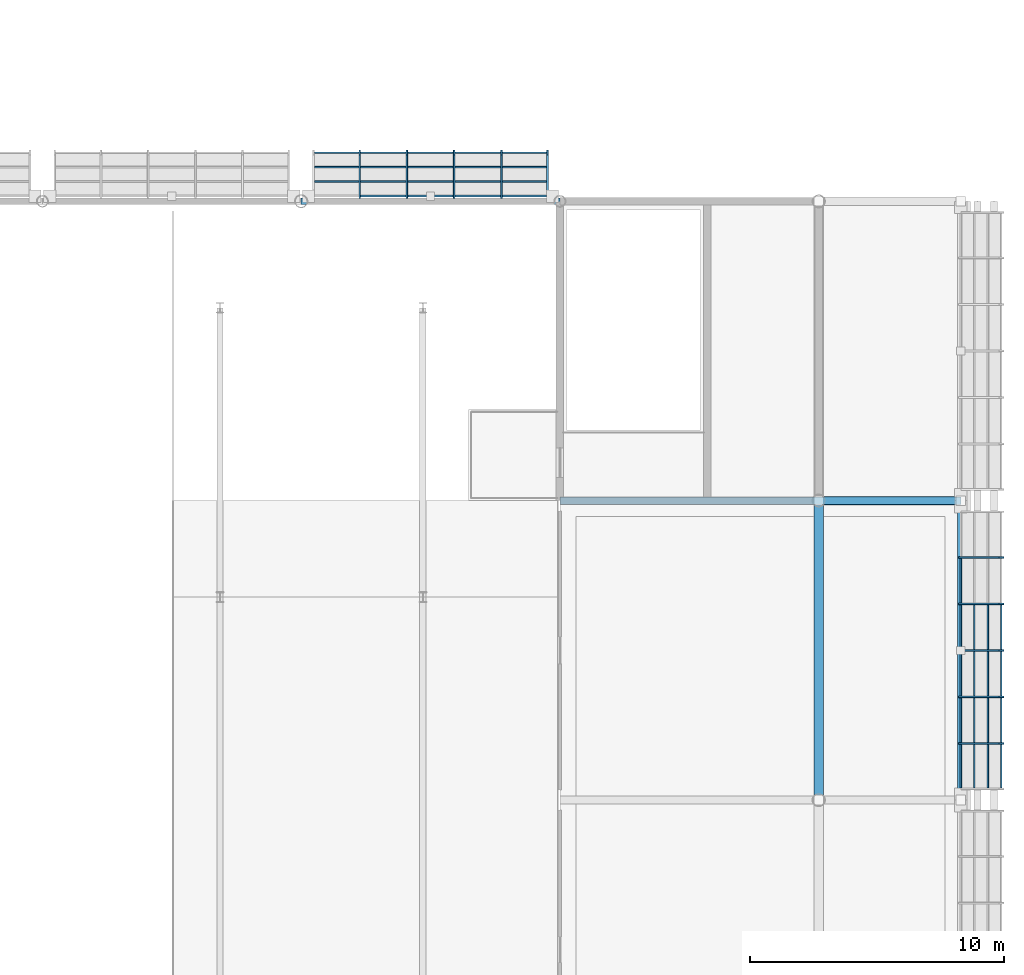
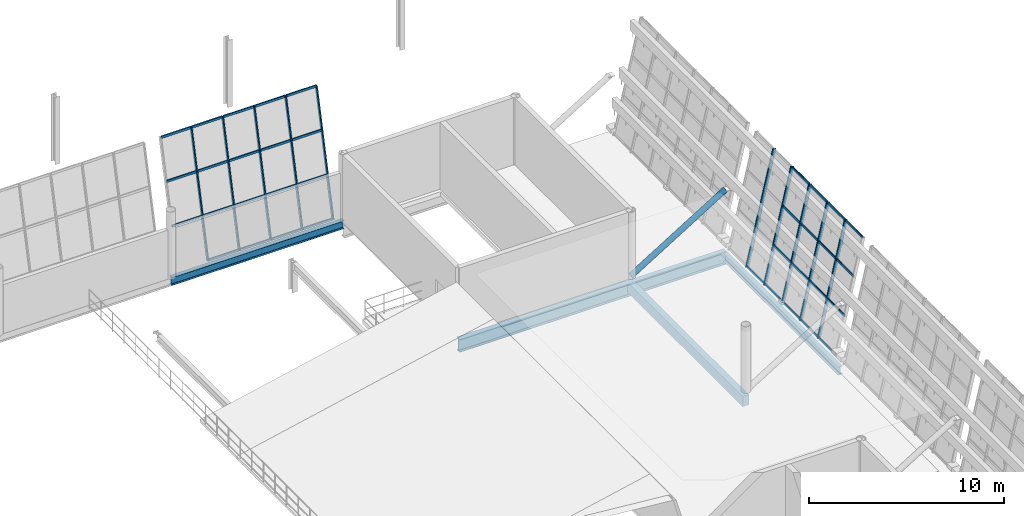
# One storey, part 84 of 157: 47 members, 4 beams, 2 elements without a shape of their own.
"""IFC4 building model written with IfcOpenShell, lengths in metres."""

from ifc_helpers import new_model, si_unit, direction, frame, origin, origin_2d, place, context, subcontext, project, spatial, rectangle, hollow_rectangle, hollow_circle, i_section, extrude, material, material_profile, profile_set, type_object, element, aggregate, save


model = new_model("IFC4")

# Units and contexts
model_context = context("Model", 3, precision=1e-05, world=origin(), true_north=direction((0.0, 1.0)))
body_context = subcontext(model_context, "Body", "Model", "MODEL_VIEW")
ifc_project = project(units=[si_unit("LENGTHUNIT", "METRE"), si_unit("AREAUNIT", "SQUARE_METRE"), si_unit("VOLUMEUNIT", "CUBIC_METRE"), si_unit("PLANEANGLEUNIT", "RADIAN"), si_unit("MASSUNIT", "GRAM", prefix="KILO")], contexts=[model_context])

# Site, building, storey
site_placement = place(None, origin())
site = spatial("IfcSite", under=ifc_project, at=site_placement, CompositionType="ELEMENT")
building_placement = place(site_placement, origin())
building = spatial("IfcBuilding", under=site, at=building_placement, Name="Brelvane Convention Centre", CompositionType="ELEMENT")
storey_placement = place(building_placement, frame((0.0, 0.0, 10.800048828125)))
storey = spatial("IfcBuildingStorey", under=building, at=storey_placement, Name="L02", CompositionType="ELEMENT", Elevation=10.800048828125)

# Curtain wall, members
ifc_material_1 = material(Name="Anodised Aluminium Alloy 6063-T6", Category="aluminium")
curtain_wall_type_1 = type_object("IfcCurtainWallType", Name="Curtain Wall CW-PLEN-E", PredefinedType="USERDEFINED", material=ifc_material_1)
curtain_wall_1_placement = place(storey_placement, origin())
curtain_wall_1 = element("IfcCurtainWall", 1, at=curtain_wall_1_placement, inside=storey, type_object=curtain_wall_type_1, Name="Curtain Wall CW-PLEN-E L02-HULL-E-L02-5", ObjectType="UNITISED", PredefinedType="USERDEFINED")
ifc_material_2 = material(Name="Anodised Aluminium Alloy 6063-T6", Category="aluminium")
ifc_material_profile_1 = material_profile(ifc_material_2, hollow_rectangle(XDim=0.074951171875, YDim=0.199951171875, WallThickness=0.0048828125, InnerFilletRadius=0.0048828125, OuterFilletRadius=0.010009765625, at=origin_2d()), Name="ALU-M 200x75x5.0")
ifc_profile_set_1 = profile_set([ifc_material_profile_1], Name="Anodised Aluminium Alloy 6063-T6")
member_type_1 = type_object("IfcMemberType", Name="Curtain Mullion CW-M2", PredefinedType="MULLION", material=ifc_profile_set_1)
member_1_placement = place(storey_placement, frame((230.0, 66.433349609375, 0.0), z_axis=(0.228360410362, 0.0, 0.973576665178), x_axis=(0.0, 1.0, 0.0)))
member_1 = element("IfcMember", 2, at=member_1_placement, type_object=member_type_1, Name="CW-PLEN-E mullion 2", PredefinedType="MULLION", context=body_context, shape_type="SweptSolid", body=[
    extrude(hollow_rectangle(XDim=0.074951171875, YDim=0.199951171875, WallThickness=0.0048828125, InnerFilletRadius=0.0048828125, OuterFilletRadius=0.010009765625, at=origin_2d()), origin(), (0.0, 0.0, 1.0), 7.03564453125),
])
member_2_placement = place(storey_placement, frame((230.0, 68.2666015625, 0.0), z_axis=(0.228360410362, 0.0, 0.973576665178), x_axis=(0.0, 1.0, 0.0)))
member_2 = element("IfcMember", 3, at=member_2_placement, type_object=member_type_1, Name="CW-PLEN-E mullion 3", PredefinedType="MULLION", context=body_context, shape_type="SweptSolid", body=[
    extrude(hollow_rectangle(XDim=0.074951171875, YDim=0.199951171875, WallThickness=0.0048828125, InnerFilletRadius=0.0048828125, OuterFilletRadius=0.010009765625, at=origin_2d()), origin(), (0.0, 0.0, 1.0), 7.03564453125),
])
member_3_placement = place(storey_placement, frame((230.0, 70.10009765625, 0.0), z_axis=(0.228360410362, 0.0, 0.973576665178), x_axis=(0.0, 1.0, 0.0)))
member_3 = element("IfcMember", 4, at=member_3_placement, type_object=member_type_1, Name="CW-PLEN-E mullion 4", PredefinedType="MULLION", context=body_context, shape_type="SweptSolid", body=[
    extrude(hollow_rectangle(XDim=0.074951171875, YDim=0.199951171875, WallThickness=0.0048828125, InnerFilletRadius=0.0048828125, OuterFilletRadius=0.010009765625, at=origin_2d()), origin(), (0.0, 0.0, 1.0), 7.03564453125),
])
member_4_placement = place(storey_placement, frame((230.0, 71.933349609375, 0.0), z_axis=(0.228360410362, 0.0, 0.973576665178), x_axis=(0.0, 1.0, 0.0)))
member_4 = element("IfcMember", 5, at=member_4_placement, type_object=member_type_1, Name="CW-PLEN-E mullion 5", PredefinedType="MULLION", context=body_context, shape_type="SweptSolid", body=[
    extrude(hollow_rectangle(XDim=0.074951171875, YDim=0.199951171875, WallThickness=0.0048828125, InnerFilletRadius=0.0048828125, OuterFilletRadius=0.010009765625, at=origin_2d()), origin(), (0.0, 0.0, 1.0), 7.03564453125),
])
member_5_placement = place(storey_placement, frame((230.0, 73.7666015625, 0.0), z_axis=(0.228360410362, 0.0, 0.973576665178), x_axis=(0.0, 1.0, 0.0)))
member_5 = element("IfcMember", 6, at=member_5_placement, type_object=member_type_1, Name="CW-PLEN-E mullion 6", PredefinedType="MULLION", context=body_context, shape_type="SweptSolid", body=[
    extrude(hollow_rectangle(XDim=0.074951171875, YDim=0.199951171875, WallThickness=0.0048828125, InnerFilletRadius=0.0048828125, OuterFilletRadius=0.010009765625, at=origin_2d()), origin(), (0.0, 0.0, 1.0), 7.03564453125),
])

ifc_material_3 = material(Name="Anodised Aluminium Alloy 6063-T6", Category="aluminium")
curtain_wall_type_2 = type_object("IfcCurtainWallType", Name="Curtain Wall CW-HULL-N", PredefinedType="USERDEFINED", material=ifc_material_3)
curtain_wall_2_placement = place(storey_placement, origin())
curtain_wall_2 = element("IfcCurtainWall", 7, at=curtain_wall_2_placement, inside=storey, type_object=curtain_wall_type_2, Name="Curtain Wall CW-HULL-N L02-HULL-PN-L02-5", ObjectType="UNITISED", PredefinedType="USERDEFINED")
member_6_placement = place(storey_placement, frame((206.31005859375, 88.0, 0.050048828125), z_axis=(0.0, 0.228348908232, 0.973579363026), x_axis=(-1.0, 0.0, 0.0)))
member_6 = element("IfcMember", 8, at=member_6_placement, type_object=member_type_1, Name="CW-HULL-N mullion 2", PredefinedType="MULLION", context=body_context, shape_type="SweptSolid", body=[
    extrude(hollow_rectangle(XDim=0.074951171875, YDim=0.199951171875, WallThickness=0.0048828125, InnerFilletRadius=0.0048828125, OuterFilletRadius=0.010009765625, at=origin_2d()), origin(), (0.0, 0.0, 1.0), 7.54931640625),
])
member_7_placement = place(storey_placement, frame((208.169921875, 88.0, 0.050048828125), z_axis=(0.0, 0.228348908232, 0.973579363026), x_axis=(-1.0, 0.0, 0.0)))
member_7 = element("IfcMember", 9, at=member_7_placement, type_object=member_type_1, Name="CW-HULL-N mullion 3", PredefinedType="MULLION", context=body_context, shape_type="SweptSolid", body=[
    extrude(hollow_rectangle(XDim=0.074951171875, YDim=0.199951171875, WallThickness=0.0048828125, InnerFilletRadius=0.0048828125, OuterFilletRadius=0.010009765625, at=origin_2d()), origin(), (0.0, 0.0, 1.0), 7.54931640625),
])
member_8_placement = place(storey_placement, frame((210.030029296875, 88.0, 0.050048828125), z_axis=(0.0, 0.228348908232, 0.973579363026), x_axis=(-1.0, 0.0, 0.0)))
member_8 = element("IfcMember", 10, at=member_8_placement, type_object=member_type_1, Name="CW-HULL-N mullion 4", PredefinedType="MULLION", context=body_context, shape_type="SweptSolid", body=[
    extrude(hollow_rectangle(XDim=0.074951171875, YDim=0.199951171875, WallThickness=0.0048828125, InnerFilletRadius=0.0048828125, OuterFilletRadius=0.010009765625, at=origin_2d()), origin(), (0.0, 0.0, 1.0), 7.54931640625),
])
member_9_placement = place(storey_placement, frame((211.889892578125, 88.0, 0.050048828125), z_axis=(0.0, 0.228348908232, 0.973579363026), x_axis=(-1.0, 0.0, 0.0)))
member_9 = element("IfcMember", 11, at=member_9_placement, type_object=member_type_1, Name="CW-HULL-N mullion 5", PredefinedType="MULLION", context=body_context, shape_type="SweptSolid", body=[
    extrude(hollow_rectangle(XDim=0.074951171875, YDim=0.199951171875, WallThickness=0.0048828125, InnerFilletRadius=0.0048828125, OuterFilletRadius=0.010009765625, at=origin_2d()), origin(), (0.0, 0.0, 1.0), 7.54931640625),
])
member_10_placement = place(storey_placement, frame((213.71240234375, 88.0, 0.050048828125), z_axis=(0.0, 0.228348908232, 0.973579363026), x_axis=(-1.0, 0.0, 0.0)))
member_10 = element("IfcMember", 12, at=member_10_placement, type_object=member_type_1, Name="CW-HULL-N mullion 6", PredefinedType="MULLION", context=body_context, shape_type="SweptSolid", body=[
    extrude(hollow_rectangle(XDim=0.074951171875, YDim=0.199951171875, WallThickness=0.0048828125, InnerFilletRadius=0.0048828125, OuterFilletRadius=0.010009765625, at=origin_2d()), origin(), (0.0, 0.0, 1.0), 7.54931640625),
])

# Member
ifc_material_4 = material(Name="Anodised Aluminium Alloy 6063-T6", Category="aluminium")
ifc_material_profile_2 = material_profile(ifc_material_4, hollow_rectangle(XDim=0.070068359375, YDim=0.14990234375, WallThickness=0.00439453125, InnerFilletRadius=0.00439453125, OuterFilletRadius=0.009033203125, at=origin_2d()), Name="ALU-T 150x70x4.5")
ifc_profile_set_2 = profile_set([ifc_material_profile_2], Name="Anodised Aluminium Alloy 6063-T6")
member_type_2 = type_object("IfcMemberType", Name="Curtain Transom CW-T2", PredefinedType="USERDEFINED", material=ifc_profile_set_2)
member_11_placement = place(storey_placement, frame((230.00830078125, 64.675048828125, 0.034912109375), z_axis=(0.0, 1.0, 0.0), x_axis=(-1.0, 0.0, 0.0)))
member_11 = element("IfcMember", 13, at=member_11_placement, type_object=member_type_2, Name="CW-PLEN-E transom 1.1", ObjectType="TRANSOM", PredefinedType="USERDEFINED", context=body_context, shape_type="SweptSolid", body=[
    extrude(hollow_rectangle(XDim=0.070068359375, YDim=0.14990234375, WallThickness=0.00439453125, InnerFilletRadius=0.00439453125, OuterFilletRadius=0.009033203125, at=origin_2d()), origin(), (0.0, 0.0, 1.0), 1.720703125),
])

member_12_placement = place(storey_placement, frame((230.53564453125, 64.675048828125, 2.283203125), z_axis=(0.0, 1.0, 0.0), x_axis=(-1.0, 0.0, 0.0)))
member_12 = element("IfcMember", 14, at=member_12_placement, type_object=member_type_2, Name="CW-PLEN-E transom 1.2", ObjectType="TRANSOM", PredefinedType="USERDEFINED", context=body_context, shape_type="SweptSolid", body=[
    extrude(hollow_rectangle(XDim=0.070068359375, YDim=0.14990234375, WallThickness=0.00439453125, InnerFilletRadius=0.00439453125, OuterFilletRadius=0.009033203125, at=origin_2d()), origin(), (0.0, 0.0, 1.0), 1.720703125),
])

member_13_placement = place(storey_placement, frame((231.071044921875, 64.675048828125, 4.566650390625), z_axis=(0.0, 1.0, 0.0), x_axis=(-1.0, 0.0, 0.0)))
member_13 = element("IfcMember", 15, at=member_13_placement, type_object=member_type_2, Name="CW-PLEN-E transom 1.3", ObjectType="TRANSOM", PredefinedType="USERDEFINED", context=body_context, shape_type="SweptSolid", body=[
    extrude(hollow_rectangle(XDim=0.070068359375, YDim=0.14990234375, WallThickness=0.00439453125, InnerFilletRadius=0.00439453125, OuterFilletRadius=0.009033203125, at=origin_2d()), origin(), (0.0, 0.0, 1.0), 1.720703125),
])

member_14_placement = place(storey_placement, frame((231.598388671875, 64.675048828125, 6.81494140625), z_axis=(0.0, 1.0, 0.0), x_axis=(-1.0, 0.0, 0.0)))
member_14 = element("IfcMember", 16, at=member_14_placement, type_object=member_type_2, Name="CW-PLEN-E transom 1.4", ObjectType="TRANSOM", PredefinedType="USERDEFINED", context=body_context, shape_type="SweptSolid", body=[
    extrude(hollow_rectangle(XDim=0.070068359375, YDim=0.14990234375, WallThickness=0.00439453125, InnerFilletRadius=0.00439453125, OuterFilletRadius=0.009033203125, at=origin_2d()), origin(), (0.0, 0.0, 1.0), 1.720703125),
])

member_15_placement = place(storey_placement, frame((230.00830078125, 66.470947265625, 0.034912109375), z_axis=(0.0, 1.0, 0.0), x_axis=(-1.0, 0.0, 0.0)))
member_15 = element("IfcMember", 17, at=member_15_placement, type_object=member_type_2, Name="CW-PLEN-E transom 2.1", ObjectType="TRANSOM", PredefinedType="USERDEFINED", context=body_context, shape_type="SweptSolid", body=[
    extrude(hollow_rectangle(XDim=0.070068359375, YDim=0.14990234375, WallThickness=0.00439453125, InnerFilletRadius=0.00439453125, OuterFilletRadius=0.009033203125, at=origin_2d()), origin(), (0.0, 0.0, 1.0), 1.75830078125),
])

member_16_placement = place(storey_placement, frame((230.53564453125, 66.470947265625, 2.283203125), z_axis=(0.0, 1.0, 0.0), x_axis=(-1.0, 0.0, 0.0)))
member_16 = element("IfcMember", 18, at=member_16_placement, type_object=member_type_2, Name="CW-PLEN-E transom 2.2", ObjectType="TRANSOM", PredefinedType="USERDEFINED", context=body_context, shape_type="SweptSolid", body=[
    extrude(hollow_rectangle(XDim=0.070068359375, YDim=0.14990234375, WallThickness=0.00439453125, InnerFilletRadius=0.00439453125, OuterFilletRadius=0.009033203125, at=origin_2d()), origin(), (0.0, 0.0, 1.0), 1.75830078125),
])

member_17_placement = place(storey_placement, frame((231.071044921875, 66.470947265625, 4.566650390625), z_axis=(0.0, 1.0, 0.0), x_axis=(-1.0, 0.0, 0.0)))
member_17 = element("IfcMember", 19, at=member_17_placement, type_object=member_type_2, Name="CW-PLEN-E transom 2.3", ObjectType="TRANSOM", PredefinedType="USERDEFINED", context=body_context, shape_type="SweptSolid", body=[
    extrude(hollow_rectangle(XDim=0.070068359375, YDim=0.14990234375, WallThickness=0.00439453125, InnerFilletRadius=0.00439453125, OuterFilletRadius=0.009033203125, at=origin_2d()), origin(), (0.0, 0.0, 1.0), 1.75830078125),
])

member_18_placement = place(storey_placement, frame((231.598388671875, 66.470947265625, 6.81494140625), z_axis=(0.0, 1.0, 0.0), x_axis=(-1.0, 0.0, 0.0)))
member_18 = element("IfcMember", 20, at=member_18_placement, type_object=member_type_2, Name="CW-PLEN-E transom 2.4", ObjectType="TRANSOM", PredefinedType="USERDEFINED", context=body_context, shape_type="SweptSolid", body=[
    extrude(hollow_rectangle(XDim=0.070068359375, YDim=0.14990234375, WallThickness=0.00439453125, InnerFilletRadius=0.00439453125, OuterFilletRadius=0.009033203125, at=origin_2d()), origin(), (0.0, 0.0, 1.0), 1.75830078125),
])

member_19_placement = place(storey_placement, frame((230.00830078125, 68.30419921875, 0.034912109375), z_axis=(0.0, 1.0, 0.0), x_axis=(-1.0, 0.0, 0.0)))
member_19 = element("IfcMember", 21, at=member_19_placement, type_object=member_type_2, Name="CW-PLEN-E transom 3.1", ObjectType="TRANSOM", PredefinedType="USERDEFINED", context=body_context, shape_type="SweptSolid", body=[
    extrude(hollow_rectangle(XDim=0.070068359375, YDim=0.14990234375, WallThickness=0.00439453125, InnerFilletRadius=0.00439453125, OuterFilletRadius=0.009033203125, at=origin_2d()), origin(), (0.0, 0.0, 1.0), 1.75830078125),
])

member_20_placement = place(storey_placement, frame((230.53564453125, 68.30419921875, 2.283203125), z_axis=(0.0, 1.0, 0.0), x_axis=(-1.0, 0.0, 0.0)))
member_20 = element("IfcMember", 22, at=member_20_placement, type_object=member_type_2, Name="CW-PLEN-E transom 3.2", ObjectType="TRANSOM", PredefinedType="USERDEFINED", context=body_context, shape_type="SweptSolid", body=[
    extrude(hollow_rectangle(XDim=0.070068359375, YDim=0.14990234375, WallThickness=0.00439453125, InnerFilletRadius=0.00439453125, OuterFilletRadius=0.009033203125, at=origin_2d()), origin(), (0.0, 0.0, 1.0), 1.75830078125),
])

member_21_placement = place(storey_placement, frame((231.071044921875, 68.30419921875, 4.566650390625), z_axis=(0.0, 1.0, 0.0), x_axis=(-1.0, 0.0, 0.0)))
member_21 = element("IfcMember", 23, at=member_21_placement, type_object=member_type_2, Name="CW-PLEN-E transom 3.3", ObjectType="TRANSOM", PredefinedType="USERDEFINED", context=body_context, shape_type="SweptSolid", body=[
    extrude(hollow_rectangle(XDim=0.070068359375, YDim=0.14990234375, WallThickness=0.00439453125, InnerFilletRadius=0.00439453125, OuterFilletRadius=0.009033203125, at=origin_2d()), origin(), (0.0, 0.0, 1.0), 1.75830078125),
])

member_22_placement = place(storey_placement, frame((231.598388671875, 68.30419921875, 6.81494140625), z_axis=(0.0, 1.0, 0.0), x_axis=(-1.0, 0.0, 0.0)))
member_22 = element("IfcMember", 24, at=member_22_placement, type_object=member_type_2, Name="CW-PLEN-E transom 3.4", ObjectType="TRANSOM", PredefinedType="USERDEFINED", context=body_context, shape_type="SweptSolid", body=[
    extrude(hollow_rectangle(XDim=0.070068359375, YDim=0.14990234375, WallThickness=0.00439453125, InnerFilletRadius=0.00439453125, OuterFilletRadius=0.009033203125, at=origin_2d()), origin(), (0.0, 0.0, 1.0), 1.75830078125),
])

member_23_placement = place(storey_placement, frame((230.00830078125, 70.137451171875, 0.034912109375), z_axis=(0.0, 1.0, 0.0), x_axis=(-1.0, 0.0, 0.0)))
member_23 = element("IfcMember", 25, at=member_23_placement, type_object=member_type_2, Name="CW-PLEN-E transom 4.1", ObjectType="TRANSOM", PredefinedType="USERDEFINED", context=body_context, shape_type="SweptSolid", body=[
    extrude(hollow_rectangle(XDim=0.070068359375, YDim=0.14990234375, WallThickness=0.00439453125, InnerFilletRadius=0.00439453125, OuterFilletRadius=0.009033203125, at=origin_2d()), origin(), (0.0, 0.0, 1.0), 1.75830078125),
])

member_24_placement = place(storey_placement, frame((230.53564453125, 70.137451171875, 2.283203125), z_axis=(0.0, 1.0, 0.0), x_axis=(-1.0, 0.0, 0.0)))
member_24 = element("IfcMember", 26, at=member_24_placement, type_object=member_type_2, Name="CW-PLEN-E transom 4.2", ObjectType="TRANSOM", PredefinedType="USERDEFINED", context=body_context, shape_type="SweptSolid", body=[
    extrude(hollow_rectangle(XDim=0.070068359375, YDim=0.14990234375, WallThickness=0.00439453125, InnerFilletRadius=0.00439453125, OuterFilletRadius=0.009033203125, at=origin_2d()), origin(), (0.0, 0.0, 1.0), 1.75830078125),
])

member_25_placement = place(storey_placement, frame((231.071044921875, 70.137451171875, 4.566650390625), z_axis=(0.0, 1.0, 0.0), x_axis=(-1.0, 0.0, 0.0)))
member_25 = element("IfcMember", 27, at=member_25_placement, type_object=member_type_2, Name="CW-PLEN-E transom 4.3", ObjectType="TRANSOM", PredefinedType="USERDEFINED", context=body_context, shape_type="SweptSolid", body=[
    extrude(hollow_rectangle(XDim=0.070068359375, YDim=0.14990234375, WallThickness=0.00439453125, InnerFilletRadius=0.00439453125, OuterFilletRadius=0.009033203125, at=origin_2d()), origin(), (0.0, 0.0, 1.0), 1.75830078125),
])

member_26_placement = place(storey_placement, frame((231.598388671875, 70.137451171875, 6.81494140625), z_axis=(0.0, 1.0, 0.0), x_axis=(-1.0, 0.0, 0.0)))
member_26 = element("IfcMember", 28, at=member_26_placement, type_object=member_type_2, Name="CW-PLEN-E transom 4.4", ObjectType="TRANSOM", PredefinedType="USERDEFINED", context=body_context, shape_type="SweptSolid", body=[
    extrude(hollow_rectangle(XDim=0.070068359375, YDim=0.14990234375, WallThickness=0.00439453125, InnerFilletRadius=0.00439453125, OuterFilletRadius=0.009033203125, at=origin_2d()), origin(), (0.0, 0.0, 1.0), 1.75830078125),
])

member_27_placement = place(storey_placement, frame((230.00830078125, 71.970947265625, 0.034912109375), z_axis=(0.0, 1.0, 0.0), x_axis=(-1.0, 0.0, 0.0)))
member_27 = element("IfcMember", 29, at=member_27_placement, type_object=member_type_2, Name="CW-PLEN-E transom 5.1", ObjectType="TRANSOM", PredefinedType="USERDEFINED", context=body_context, shape_type="SweptSolid", body=[
    extrude(hollow_rectangle(XDim=0.070068359375, YDim=0.14990234375, WallThickness=0.00439453125, InnerFilletRadius=0.00439453125, OuterFilletRadius=0.009033203125, at=origin_2d()), origin(), (0.0, 0.0, 1.0), 1.75830078125),
])

aggregate(curtain_wall_1, [member_1, member_2, member_3, member_4, member_5, member_11, member_12, member_13, member_14, member_15, member_16, member_17, member_18, member_19, member_20, member_21, member_22, member_23, member_24, member_25, member_26, member_27])

member_28_placement = place(storey_placement, frame((204.52490234375, 88.57470703125, 2.5), z_axis=(1.0, 0.0, 0.0), x_axis=(0.0, 1.0, 0.0)))
member_28 = element("IfcMember", 30, at=member_28_placement, type_object=member_type_2, Name="CW-HULL-N transom 1.2", ObjectType="TRANSOM", PredefinedType="USERDEFINED", context=body_context, shape_type="SweptSolid", body=[
    extrude(hollow_rectangle(XDim=0.070068359375, YDim=0.14990234375, WallThickness=0.00439453125, InnerFilletRadius=0.00439453125, OuterFilletRadius=0.009033203125, at=origin_2d()), origin(), (0.0, 0.0, 1.0), 1.74755859375),
])

member_29_placement = place(storey_placement, frame((204.52490234375, 89.149169921875, 4.949951171875), z_axis=(1.0, 0.0, 0.0), x_axis=(0.0, 1.0, 0.0)))
member_29 = element("IfcMember", 31, at=member_29_placement, type_object=member_type_2, Name="CW-HULL-N transom 1.3", ObjectType="TRANSOM", PredefinedType="USERDEFINED", context=body_context, shape_type="SweptSolid", body=[
    extrude(hollow_rectangle(XDim=0.070068359375, YDim=0.14990234375, WallThickness=0.00439453125, InnerFilletRadius=0.00439453125, OuterFilletRadius=0.009033203125, at=origin_2d()), origin(), (0.0, 0.0, 1.0), 1.74755859375),
])

member_30_placement = place(storey_placement, frame((204.52490234375, 89.7158203125, 7.364990234375), z_axis=(1.0, 0.0, 0.0), x_axis=(0.0, 1.0, 0.0)))
member_30 = element("IfcMember", 32, at=member_30_placement, type_object=member_type_2, Name="CW-HULL-N transom 1.4", ObjectType="TRANSOM", PredefinedType="USERDEFINED", context=body_context, shape_type="SweptSolid", body=[
    extrude(hollow_rectangle(XDim=0.070068359375, YDim=0.14990234375, WallThickness=0.00439453125, InnerFilletRadius=0.00439453125, OuterFilletRadius=0.009033203125, at=origin_2d()), origin(), (0.0, 0.0, 1.0), 1.74755859375),
])

member_31_placement = place(storey_placement, frame((206.347412109375, 88.00830078125, 0.0849609375), z_axis=(1.0, 0.0, 0.0), x_axis=(0.0, 1.0, 0.0)))
member_31 = element("IfcMember", 33, at=member_31_placement, type_object=member_type_2, Name="CW-HULL-N transom 2.1", ObjectType="TRANSOM", PredefinedType="USERDEFINED", context=body_context, shape_type="SweptSolid", body=[
    extrude(hollow_rectangle(XDim=0.070068359375, YDim=0.14990234375, WallThickness=0.00439453125, InnerFilletRadius=0.00439453125, OuterFilletRadius=0.009033203125, at=origin_2d()), origin(), (0.0, 0.0, 1.0), 1.78515625),
])

member_32_placement = place(storey_placement, frame((206.347412109375, 88.57470703125, 2.5), z_axis=(1.0, 0.0, 0.0), x_axis=(0.0, 1.0, 0.0)))
member_32 = element("IfcMember", 34, at=member_32_placement, type_object=member_type_2, Name="CW-HULL-N transom 2.2", ObjectType="TRANSOM", PredefinedType="USERDEFINED", context=body_context, shape_type="SweptSolid", body=[
    extrude(hollow_rectangle(XDim=0.070068359375, YDim=0.14990234375, WallThickness=0.00439453125, InnerFilletRadius=0.00439453125, OuterFilletRadius=0.009033203125, at=origin_2d()), origin(), (0.0, 0.0, 1.0), 1.78515625),
])

member_33_placement = place(storey_placement, frame((206.347412109375, 89.149169921875, 4.949951171875), z_axis=(1.0, 0.0, 0.0), x_axis=(0.0, 1.0, 0.0)))
member_33 = element("IfcMember", 35, at=member_33_placement, type_object=member_type_2, Name="CW-HULL-N transom 2.3", ObjectType="TRANSOM", PredefinedType="USERDEFINED", context=body_context, shape_type="SweptSolid", body=[
    extrude(hollow_rectangle(XDim=0.070068359375, YDim=0.14990234375, WallThickness=0.00439453125, InnerFilletRadius=0.00439453125, OuterFilletRadius=0.009033203125, at=origin_2d()), origin(), (0.0, 0.0, 1.0), 1.78515625),
])

member_34_placement = place(storey_placement, frame((206.347412109375, 89.7158203125, 7.364990234375), z_axis=(1.0, 0.0, 0.0), x_axis=(0.0, 1.0, 0.0)))
member_34 = element("IfcMember", 36, at=member_34_placement, type_object=member_type_2, Name="CW-HULL-N transom 2.4", ObjectType="TRANSOM", PredefinedType="USERDEFINED", context=body_context, shape_type="SweptSolid", body=[
    extrude(hollow_rectangle(XDim=0.070068359375, YDim=0.14990234375, WallThickness=0.00439453125, InnerFilletRadius=0.00439453125, OuterFilletRadius=0.009033203125, at=origin_2d()), origin(), (0.0, 0.0, 1.0), 1.78515625),
])

member_35_placement = place(storey_placement, frame((208.20751953125, 88.00830078125, 0.0849609375), z_axis=(1.0, 0.0, 0.0), x_axis=(0.0, 1.0, 0.0)))
member_35 = element("IfcMember", 37, at=member_35_placement, type_object=member_type_2, Name="CW-HULL-N transom 3.1", ObjectType="TRANSOM", PredefinedType="USERDEFINED", context=body_context, shape_type="SweptSolid", body=[
    extrude(hollow_rectangle(XDim=0.070068359375, YDim=0.14990234375, WallThickness=0.00439453125, InnerFilletRadius=0.00439453125, OuterFilletRadius=0.009033203125, at=origin_2d()), origin(), (0.0, 0.0, 1.0), 1.784912109375),
])

member_36_placement = place(storey_placement, frame((208.20751953125, 88.57470703125, 2.5), z_axis=(1.0, 0.0, 0.0), x_axis=(0.0, 1.0, 0.0)))
member_36 = element("IfcMember", 38, at=member_36_placement, type_object=member_type_2, Name="CW-HULL-N transom 3.2", ObjectType="TRANSOM", PredefinedType="USERDEFINED", context=body_context, shape_type="SweptSolid", body=[
    extrude(hollow_rectangle(XDim=0.070068359375, YDim=0.14990234375, WallThickness=0.00439453125, InnerFilletRadius=0.00439453125, OuterFilletRadius=0.009033203125, at=origin_2d()), origin(), (0.0, 0.0, 1.0), 1.784912109375),
])

member_37_placement = place(storey_placement, frame((208.20751953125, 89.149169921875, 4.949951171875), z_axis=(1.0, 0.0, 0.0), x_axis=(0.0, 1.0, 0.0)))
member_37 = element("IfcMember", 39, at=member_37_placement, type_object=member_type_2, Name="CW-HULL-N transom 3.3", ObjectType="TRANSOM", PredefinedType="USERDEFINED", context=body_context, shape_type="SweptSolid", body=[
    extrude(hollow_rectangle(XDim=0.070068359375, YDim=0.14990234375, WallThickness=0.00439453125, InnerFilletRadius=0.00439453125, OuterFilletRadius=0.009033203125, at=origin_2d()), origin(), (0.0, 0.0, 1.0), 1.784912109375),
])

member_38_placement = place(storey_placement, frame((208.20751953125, 89.7158203125, 7.364990234375), z_axis=(1.0, 0.0, 0.0), x_axis=(0.0, 1.0, 0.0)))
member_38 = element("IfcMember", 40, at=member_38_placement, type_object=member_type_2, Name="CW-HULL-N transom 3.4", ObjectType="TRANSOM", PredefinedType="USERDEFINED", context=body_context, shape_type="SweptSolid", body=[
    extrude(hollow_rectangle(XDim=0.070068359375, YDim=0.14990234375, WallThickness=0.00439453125, InnerFilletRadius=0.00439453125, OuterFilletRadius=0.009033203125, at=origin_2d()), origin(), (0.0, 0.0, 1.0), 1.784912109375),
])

member_39_placement = place(storey_placement, frame((210.0673828125, 88.00830078125, 0.0849609375), z_axis=(1.0, 0.0, 0.0), x_axis=(0.0, 1.0, 0.0)))
member_39 = element("IfcMember", 41, at=member_39_placement, type_object=member_type_2, Name="CW-HULL-N transom 4.1", ObjectType="TRANSOM", PredefinedType="USERDEFINED", context=body_context, shape_type="SweptSolid", body=[
    extrude(hollow_rectangle(XDim=0.070068359375, YDim=0.14990234375, WallThickness=0.00439453125, InnerFilletRadius=0.00439453125, OuterFilletRadius=0.009033203125, at=origin_2d()), origin(), (0.0, 0.0, 1.0), 1.78515625),
])

member_40_placement = place(storey_placement, frame((210.0673828125, 88.57470703125, 2.5), z_axis=(1.0, 0.0, 0.0), x_axis=(0.0, 1.0, 0.0)))
member_40 = element("IfcMember", 42, at=member_40_placement, type_object=member_type_2, Name="CW-HULL-N transom 4.2", ObjectType="TRANSOM", PredefinedType="USERDEFINED", context=body_context, shape_type="SweptSolid", body=[
    extrude(hollow_rectangle(XDim=0.070068359375, YDim=0.14990234375, WallThickness=0.00439453125, InnerFilletRadius=0.00439453125, OuterFilletRadius=0.009033203125, at=origin_2d()), origin(), (0.0, 0.0, 1.0), 1.78515625),
])

member_41_placement = place(storey_placement, frame((210.0673828125, 89.149169921875, 4.949951171875), z_axis=(1.0, 0.0, 0.0), x_axis=(0.0, 1.0, 0.0)))
member_41 = element("IfcMember", 43, at=member_41_placement, type_object=member_type_2, Name="CW-HULL-N transom 4.3", ObjectType="TRANSOM", PredefinedType="USERDEFINED", context=body_context, shape_type="SweptSolid", body=[
    extrude(hollow_rectangle(XDim=0.070068359375, YDim=0.14990234375, WallThickness=0.00439453125, InnerFilletRadius=0.00439453125, OuterFilletRadius=0.009033203125, at=origin_2d()), origin(), (0.0, 0.0, 1.0), 1.78515625),
])

member_42_placement = place(storey_placement, frame((210.0673828125, 89.7158203125, 7.364990234375), z_axis=(1.0, 0.0, 0.0), x_axis=(0.0, 1.0, 0.0)))
member_42 = element("IfcMember", 44, at=member_42_placement, type_object=member_type_2, Name="CW-HULL-N transom 4.4", ObjectType="TRANSOM", PredefinedType="USERDEFINED", context=body_context, shape_type="SweptSolid", body=[
    extrude(hollow_rectangle(XDim=0.070068359375, YDim=0.14990234375, WallThickness=0.00439453125, InnerFilletRadius=0.00439453125, OuterFilletRadius=0.009033203125, at=origin_2d()), origin(), (0.0, 0.0, 1.0), 1.78515625),
])

member_43_placement = place(storey_placement, frame((211.927490234375, 88.00830078125, 0.0849609375), z_axis=(1.0, 0.0, 0.0), x_axis=(0.0, 1.0, 0.0)))
member_43 = element("IfcMember", 45, at=member_43_placement, type_object=member_type_2, Name="CW-HULL-N transom 5.1", ObjectType="TRANSOM", PredefinedType="USERDEFINED", context=body_context, shape_type="SweptSolid", body=[
    extrude(hollow_rectangle(XDim=0.070068359375, YDim=0.14990234375, WallThickness=0.00439453125, InnerFilletRadius=0.00439453125, OuterFilletRadius=0.009033203125, at=origin_2d()), origin(), (0.0, 0.0, 1.0), 1.74755859375),
])

member_44_placement = place(storey_placement, frame((211.927490234375, 88.57470703125, 2.5), z_axis=(1.0, 0.0, 0.0), x_axis=(0.0, 1.0, 0.0)))
member_44 = element("IfcMember", 46, at=member_44_placement, type_object=member_type_2, Name="CW-HULL-N transom 5.2", ObjectType="TRANSOM", PredefinedType="USERDEFINED", context=body_context, shape_type="SweptSolid", body=[
    extrude(hollow_rectangle(XDim=0.070068359375, YDim=0.14990234375, WallThickness=0.00439453125, InnerFilletRadius=0.00439453125, OuterFilletRadius=0.009033203125, at=origin_2d()), origin(), (0.0, 0.0, 1.0), 1.74755859375),
])

member_45_placement = place(storey_placement, frame((211.927490234375, 89.149169921875, 4.949951171875), z_axis=(1.0, 0.0, 0.0), x_axis=(0.0, 1.0, 0.0)))
member_45 = element("IfcMember", 47, at=member_45_placement, type_object=member_type_2, Name="CW-HULL-N transom 5.3", ObjectType="TRANSOM", PredefinedType="USERDEFINED", context=body_context, shape_type="SweptSolid", body=[
    extrude(hollow_rectangle(XDim=0.070068359375, YDim=0.14990234375, WallThickness=0.00439453125, InnerFilletRadius=0.00439453125, OuterFilletRadius=0.009033203125, at=origin_2d()), origin(), (0.0, 0.0, 1.0), 1.74755859375),
])

member_46_placement = place(storey_placement, frame((211.927490234375, 89.7158203125, 7.364990234375), z_axis=(1.0, 0.0, 0.0), x_axis=(0.0, 1.0, 0.0)))
member_46 = element("IfcMember", 48, at=member_46_placement, type_object=member_type_2, Name="CW-HULL-N transom 5.4", ObjectType="TRANSOM", PredefinedType="USERDEFINED", context=body_context, shape_type="SweptSolid", body=[
    extrude(hollow_rectangle(XDim=0.070068359375, YDim=0.14990234375, WallThickness=0.00439453125, InnerFilletRadius=0.00439453125, OuterFilletRadius=0.009033203125, at=origin_2d()), origin(), (0.0, 0.0, 1.0), 1.74755859375),
])

aggregate(curtain_wall_2, [member_6, member_7, member_8, member_9, member_10, member_28, member_29, member_30, member_31, member_32, member_33, member_34, member_35, member_36, member_37, member_38, member_39, member_40, member_41, member_42, member_43, member_44, member_45, member_46])

# Beams
ifc_material_5 = material(Name="Concrete M40", Category="concrete")
ifc_material_profile_3 = material_profile(ifc_material_5, rectangle(XDim=0.360107421875, YDim=0.639892578125, at=origin_2d()), Name="RC 360x640")
ifc_profile_set_3 = profile_set([ifc_material_profile_3], Name="Concrete M40")
beam_type_1 = type_object("IfcBeamType", Name="RC Spandrel SP-RC3 (RC 360x640)", PredefinedType="SPANDREL", material=ifc_profile_set_3)
beam_1_placement = place(storey_placement, frame((224.39990234375, 64.199951171875, -0.60009765625), z_axis=(0.0, 1.0, 0.0), x_axis=(-1.0, 0.0, 0.0)))
element("IfcBeam", 49, at=beam_1_placement, inside=storey, type_object=beam_type_1, Name="L02 Girder 23/G-H", PredefinedType="SPANDREL", context=body_context, shape_type="SweptSolid", body=[
    extrude(rectangle(XDim=0.360107421875, YDim=0.639892578125, at=origin_2d()), origin(), (0.0, 0.0, 1.0), 11.800048828125),
])
ifc_material_6 = material(Name="Steel E450 (450 MPa)", Category="steel")
ifc_material_profile_4 = material_profile(ifc_material_6, i_section(OverallWidth=0.300048828125, OverallDepth=0.800048828125, WebThickness=0.015380859375, FlangeThickness=0.030029296875, FilletRadius=0.027099609375, at=origin_2d()), Name="NPB 800x300")
ifc_profile_set_4 = profile_set([ifc_material_profile_4], Name="Steel E450 (450 MPa)")
beam_type_2 = type_object("IfcBeamType", Name="Steel Beam B-ST2 (NPB 800x300)", PredefinedType="BEAM", material=ifc_profile_set_4)
beam_2_placement = place(storey_placement, frame((214.199951171875, 76.0, -0.679931640625), z_axis=(1.0, 0.0, 0.0), x_axis=(0.0, 1.0, 0.0)))
element("IfcBeam", 50, at=beam_2_placement, inside=storey, type_object=beam_type_2, Name="L02 Plenary East Cantilever Girder Y76", PredefinedType="BEAM", context=body_context, shape_type="SweptSolid", body=[
    extrude(i_section(OverallWidth=0.300048828125, OverallDepth=0.800048828125, WebThickness=0.015380859375, FlangeThickness=0.030029296875, FilletRadius=0.027099609375, at=origin_2d()), origin(), (0.0, 0.0, 1.0), 15.800048828125),
])
ifc_material_7 = material(Name="Steel E350 (350 MPa)", Category="steel")
ifc_material_profile_5 = material_profile(ifc_material_7, i_section(OverallWidth=0.25, OverallDepth=0.5, WebThickness=0.010009765625, FlangeThickness=0.0146484375, FilletRadius=0.01611328125, at=origin_2d()), Name="ISWB 500")
ifc_profile_set_5 = profile_set([ifc_material_profile_5], Name="Steel E350 (350 MPa)")
beam_type_3 = type_object("IfcBeamType", Name="Steel Spandrel SP-ST1 (ISWB 500)", PredefinedType="SPANDREL", material=ifc_profile_set_5)
beam_3_placement = place(storey_placement, frame((230.0, 64.199951171875, -0.679931640625), z_axis=(0.0, 1.0, 0.0), x_axis=(-1.0, 0.0, 0.0)))
element("IfcBeam", 51, at=beam_3_placement, inside=storey, type_object=beam_type_3, Name="L02 Plenary Overhang Tip Spandrel 5", PredefinedType="SPANDREL", context=body_context, shape_type="SweptSolid", body=[
    extrude(i_section(OverallWidth=0.25, OverallDepth=0.5, WebThickness=0.010009765625, FlangeThickness=0.0146484375, FilletRadius=0.01611328125, at=origin_2d()), origin(), (0.0, 0.0, 1.0), 11.800048828125),
])
beam_4_placement = place(storey_placement, frame((204.0, 87.800048828125, -0.25), z_axis=(1.0, 0.0, 0.0), x_axis=(0.0, 1.0, 0.0)))
element("IfcBeam", 52, at=beam_4_placement, inside=storey, type_object=beam_type_3, Name="Plenary North Wall Girt L02-5", PredefinedType="SPANDREL", context=body_context, shape_type="SweptSolid", body=[
    extrude(i_section(OverallWidth=0.25, OverallDepth=0.5, WebThickness=0.010009765625, FlangeThickness=0.0146484375, FilletRadius=0.01611328125, at=origin_2d()), origin(), (0.0, 0.0, 1.0), 10.199951171875),
])

# Member
ifc_material_8 = material(Name="Steel E450 (450 MPa)", Category="steel")
ifc_material_profile_6 = material_profile(ifc_material_8, hollow_circle(Radius=0.161865234375, WallThickness=0.012451171875, at=origin_2d()), Name="CHS 323.9x12.5")
ifc_profile_set_6 = profile_set([ifc_material_profile_6], Name="Steel E450 (450 MPa)")
member_type_3 = type_object("IfcMemberType", Name="Steel Strut HS-ST2 (CHS 323.9x12.5)", PredefinedType="STRUT", material=ifc_profile_set_6)
member_47_placement = place(storey_placement, frame((224.39990234375, 76.0, 0.050048828125), z_axis=(0.851404606283, 0.0, 0.524509481707), x_axis=(0.0, 1.0, 0.0)))
element("IfcMember", 53, at=member_47_placement, inside=storey, type_object=member_type_3, Name="Plenary East Overhang Raked Strut L03 Y76", PredefinedType="STRUT", context=body_context, shape_type="SweptSolid", body=[
    extrude(hollow_circle(Radius=0.161865234375, WallThickness=0.012451171875, at=origin_2d()), origin(), (0.0, 0.0, 1.0), 6.577392578125),
])

save(model, "model.ifc")
